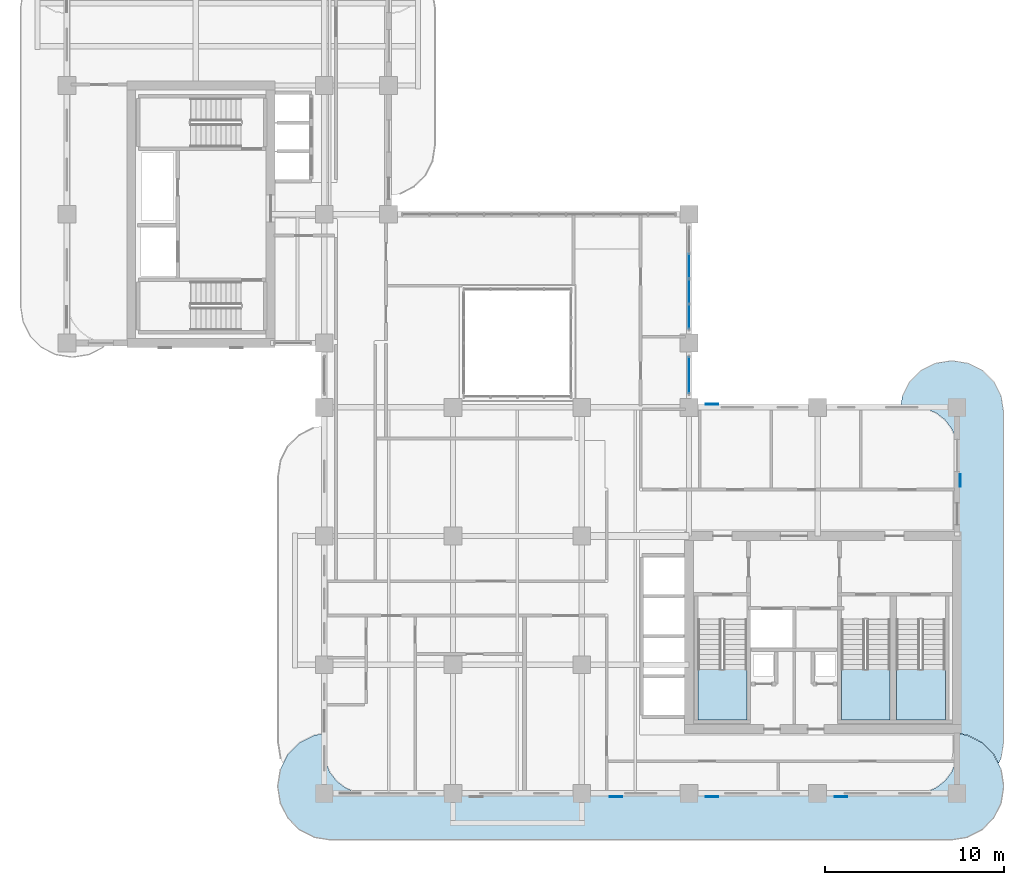
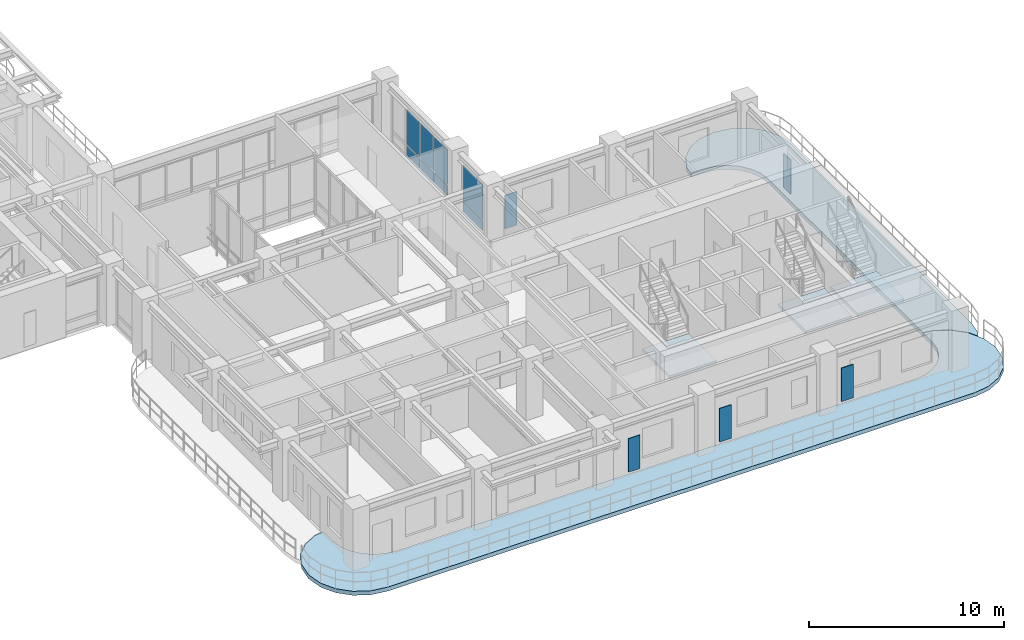
# One storey, part 9 of 20: 13 plates, 5 slabs, 5 elements without a shape of their own.
"""IFC4 building model written with IfcOpenShell, lengths in metres."""

from ifc_helpers import new_model, si_unit, derived_unit, direction, frame, origin, origin_2d, place, context, subcontext, project, spatial, polyline, rectangle, outline, extrude, source, transform, mapped, material, layer, layer_set, type_object, type_shapes, element, aggregate, save


model = new_model("IFC4")

# Units and contexts
model_context = context("Model", 3, precision=1e-05, world=origin(), true_north=direction((0.0, 1.0)))
body_context = subcontext(model_context, "Body", "Model", "MODEL_VIEW")
ifc_project = project(units=[si_unit("LENGTHUNIT", "METRE"), si_unit("AREAUNIT", "SQUARE_METRE"), si_unit("VOLUMEUNIT", "CUBIC_METRE"), si_unit("PLANEANGLEUNIT", "RADIAN"), si_unit("MASSUNIT", "GRAM", prefix="KILO"), si_unit("THERMODYNAMICTEMPERATUREUNIT", "KELVIN"), si_unit("POWERUNIT", "WATT"), derived_unit("THERMALTRANSMITTANCEUNIT", [(si_unit("POWERUNIT", "WATT"), 1), (si_unit("AREAUNIT", "SQUARE_METRE"), -1), (si_unit("THERMODYNAMICTEMPERATUREUNIT", "KELVIN"), -1)])], contexts=[model_context])

# Site, building, storey
site_placement = place(None, origin())
site = spatial("IfcSite", under=ifc_project, at=site_placement, CompositionType="ELEMENT")
building_placement = place(site_placement, origin())
building = spatial("IfcBuilding", under=site, at=building_placement, Name="Zahravan Archway Hotel and Residences", CompositionType="ELEMENT")
storey_placement = place(building_placement, frame((0.0, 0.0, 154.14990234375)))
storey = spatial("IfcBuildingStorey", under=building, at=storey_placement, Name="L38", CompositionType="ELEMENT", Elevation=154.14990234375)

# Slabs
ifc_material_1 = material(Name="Concrete C45/55", Category="concrete")
ifc_layer_1 = layer(ifc_material_1, 0.25, Name="Concrete C45/55", Category="concrete")
ifc_layer_set_1 = layer_set([ifc_layer_1], Name="Concrete C45/55")
slab_type_1 = type_object("IfcSlabType", Name="SLB-BALC-250", PredefinedType="FLOOR", material=ifc_layer_set_1)
slab_1_placement = place(storey_placement, frame((0.0, 0.0, -0.25)))
element("IfcSlab", 1, at=slab_1_placement, inside=storey, type_object=slab_type_1, Name="L38 Wing A South Rounded Balcony Band", PredefinedType="FLOOR", context=body_context, shape_type="SweptSolid", body=[
    extrude(outline(polyline([(50.361572265625, 3.255615234375), (51.18408203125, 2.836669921875), (51.836669921875, 2.18408203125), (52.255615234375, 1.361572265625), (52.39990234375, 0.449951171875), (52.39990234375, 0.35009765625), (52.255615234375, -0.5615234375), (51.836669921875, -1.384033203125), (51.18408203125, -2.03662109375), (50.361572265625, -2.45556640625), (49.449951171875, -2.60009765625), (14.75, -2.60009765625), (13.83837890625, -2.45556640625), (13.01611328125, -2.03662109375), (12.36328125, -1.384033203125), (11.9443359375, -0.5615234375), (11.800048828125, 0.35009765625), (11.800048828125, 0.449951171875), (11.9443359375, 1.361572265625), (12.36328125, 2.18408203125), (13.01611328125, 2.836669921875), (13.83837890625, 3.255615234375), (14.3798828125, 3.34130859375), (14.3798828125, 2.39990234375), (14.380126953125, 2.3974609375), (14.4619140625, 1.776123046875), (14.46240234375, 1.7744140625), (14.462646484375, 1.772705078125), (14.46337890625, 1.77099609375), (14.702880859375, 1.1923828125), (14.703857421875, 1.19091796875), (14.70458984375, 1.189208984375), (14.70556640625, 1.187744140625), (15.0869140625, 0.690673828125), (15.088134765625, 0.689453125), (15.08935546875, 0.688232421875), (15.0908203125, 0.68701171875), (15.587890625, 0.3056640625), (15.58935546875, 0.3046875), (15.5908203125, 0.3037109375), (15.59228515625, 0.302978515625), (16.171142578125, 0.063232421875), (16.1728515625, 0.062744140625), (16.174560546875, 0.062255859375), (16.17626953125, 0.06201171875), (16.79736328125, -0.019775390625), (16.800048828125, -0.02001953125), (47.39990234375, -0.02001953125), (47.402587890625, -0.019775390625), (48.023681640625, 0.06201171875), (48.025390625, 0.062255859375), (48.027099609375, 0.062744140625), (48.02880859375, 0.063232421875), (48.607666015625, 0.302978515625), (48.609130859375, 0.3037109375), (48.610595703125, 0.3046875), (48.6123046875, 0.3056640625), (49.109375, 0.68701171875), (49.110595703125, 0.688232421875), (49.11181640625, 0.689453125), (49.113037109375, 0.690673828125), (49.494384765625, 1.187744140625), (49.495361328125, 1.189208984375), (49.49609375, 1.19091796875), (49.4970703125, 1.1923828125), (49.73681640625, 1.77099609375), (49.7373046875, 1.772705078125), (49.73779296875, 1.7744140625), (49.738037109375, 1.776123046875), (49.81982421875, 2.3974609375), (49.820068359375, 2.39990234375), (49.820068359375, 3.34130859375), (50.361572265625, 3.255615234375)])), origin(), (0.0, 0.0, 1.0), 0.25),
])
slab_2_placement = place(storey_placement, frame((0.0, 0.0, -0.25)))
element("IfcSlab", 2, at=slab_2_placement, inside=storey, type_object=slab_type_1, Name="L38 Wing A East Rounded Balcony Band", PredefinedType="FLOOR", context=body_context, shape_type="SweptSolid", body=[
    extrude(outline(polyline([(46.739501953125, 22.230712890625), (47.144287109375, 23.025146484375), (47.77490234375, 23.65576171875), (48.5693359375, 24.060546875), (49.449951171875, 24.199951171875), (49.550048828125, 24.199951171875), (50.4306640625, 24.060546875), (51.22509765625, 23.65576171875), (51.855712890625, 23.025146484375), (52.260498046875, 22.230712890625), (52.39990234375, 21.35009765625), (52.39990234375, 2.85009765625), (52.260498046875, 1.96923828125), (52.114501953125, 1.6826171875), (51.8544921875, 2.193115234375), (51.853515625, 2.19482421875), (51.85205078125, 2.196533203125), (51.8505859375, 2.197998046875), (51.197998046875, 2.8505859375), (51.196533203125, 2.85205078125), (51.19482421875, 2.853515625), (51.193115234375, 2.8544921875), (50.37060546875, 3.2734375), (50.368896484375, 3.2744140625), (50.36669921875, 3.27490234375), (50.36474609375, 3.275390625), (49.822998046875, 3.361083984375), (49.8212890625, 3.361328125), (49.820068359375, 3.361328125), (49.820068359375, 19.199951171875), (49.81982421875, 19.20263671875), (49.738037109375, 19.82373046875), (49.73779296875, 19.825439453125), (49.7373046875, 19.8271484375), (49.73681640625, 19.828857421875), (49.4970703125, 20.40771484375), (49.49609375, 20.4091796875), (49.495361328125, 20.41064453125), (49.494384765625, 20.412109375), (49.113037109375, 20.9091796875), (49.11181640625, 20.91064453125), (49.110595703125, 20.911865234375), (49.109375, 20.9130859375), (48.6123046875, 21.29443359375), (48.610595703125, 21.29541015625), (48.609130859375, 21.296142578125), (48.607666015625, 21.297119140625), (48.02880859375, 21.53662109375), (48.027099609375, 21.537353515625), (48.025390625, 21.53759765625), (48.023681640625, 21.5380859375), (47.402587890625, 21.619873046875), (47.39990234375, 21.6201171875), (46.642822265625, 21.6201171875), (46.739501953125, 22.230712890625)])), origin(), (0.0, 0.0, 1.0), 0.25),
])

# Stair, slab
ifc_material_2 = material(Name="Concrete C50/60", Category="concrete")
stair_type = type_object("IfcStairType", Name="STR-CORE-1300", PredefinedType="HALF_TURN_STAIR", material=ifc_material_2)
stair_1_placement = place(storey_placement, origin())
stair_1 = element("IfcStair", 3, at=stair_1_placement, inside=storey, type_object=stair_type, Name="L38 Core A Exit Stair 1", PredefinedType="HALF_TURN_STAIR")
ifc_layer_2 = layer(ifc_material_2, 0.199951171875, Name="Concrete C50/60", Category="concrete")
ifc_layer_set_2 = layer_set([ifc_layer_2], Name="Concrete C50/60")
slab_type_2 = type_object("IfcSlabType", Name="SLB-LND-200", PredefinedType="LANDING", material=ifc_layer_set_2)
slab_3_placement = place(storey_placement, frame((0.0, 0.0, 1.72509765625)))
slab_3 = element("IfcSlab", 4, at=slab_3_placement, type_object=slab_type_2, Name="ST-A1 landing 1", PredefinedType="LANDING", context=body_context, shape_type="SweptSolid", body=[
    extrude(outline(polyline([(35.300048828125, 6.929931640625), (35.300048828125, 4.10009765625), (38.0400390625, 4.10009765625), (38.0400390625, 6.929931640625), (35.300048828125, 6.929931640625)])), origin(), (0.0, 0.0, 1.0), 0.199951171875),
])
aggregate(stair_1, [slab_3])

stair_2_placement = place(storey_placement, origin())
stair_2 = element("IfcStair", 5, at=stair_2_placement, inside=storey, type_object=stair_type, Name="L38 Core A Exit Stair 2", PredefinedType="HALF_TURN_STAIR")
slab_4_placement = place(storey_placement, frame((0.0, 0.0, 1.72509765625)))
slab_4 = element("IfcSlab", 6, at=slab_4_placement, type_object=slab_type_2, Name="ST-A2 landing 1", PredefinedType="LANDING", context=body_context, shape_type="SweptSolid", body=[
    extrude(outline(polyline([(43.320068359375, 6.929931640625), (43.320068359375, 4.10009765625), (46.06005859375, 4.10009765625), (46.06005859375, 6.929931640625), (43.320068359375, 6.929931640625)])), origin(), (0.0, 0.0, 1.0), 0.199951171875),
])
aggregate(stair_2, [slab_4])

stair_3_placement = place(storey_placement, origin())
stair_3 = element("IfcStair", 7, at=stair_3_placement, inside=storey, type_object=stair_type, Name="L38 Core A Exit Stair 3", PredefinedType="HALF_TURN_STAIR")
slab_5_placement = place(storey_placement, frame((0.0, 0.0, 1.72509765625)))
slab_5 = element("IfcSlab", 8, at=slab_5_placement, type_object=slab_type_2, Name="ST-A3 landing 1", PredefinedType="LANDING", context=body_context, shape_type="SweptSolid", body=[
    extrude(outline(polyline([(46.39990234375, 6.929931640625), (46.39990234375, 4.10009765625), (49.139892578125, 4.10009765625), (49.139892578125, 6.929931640625), (46.39990234375, 6.929931640625)])), origin(), (0.0, 0.0, 1.0), 0.199951171875),
])
aggregate(stair_3, [slab_5])

# Plates
ifc_material_3 = material(Name="Perforated Cast Bronze Jali Lattice")
ifc_layer_3 = layer(ifc_material_3, 0.044921875, Name="Perforated Cast Bronze Jali Lattice")
ifc_layer_set_3 = layer_set([ifc_layer_3], Name="Perforated Cast Bronze Jali Lattice")
plate_type_1 = type_object("IfcPlateType", Name="PLT-JALI-BAY", PredefinedType="USERDEFINED", material=ifc_layer_set_3)
shared_shape_1 = source(origin(), body_context, "Body", "SweptSolid", [
    extrude(rectangle(XDim=0.699951171875, YDim=0.044921875, at=origin_2d()), origin(), (0.0, 0.0, 1.0), 2.10009765625),
])
type_shapes(plate_type_1, [shared_shape_1])
for number, where, z_axis, x_axis, name in (
    (9, (30.7080078125, -0.177978515625, 0.25), (0.0, 0.0, 1.0), (1.0, 0.0, 0.0), "L38 Perforated Bronze Jali Pier Screen 02"),
    (10, (36.10009765625, -0.177978515625, 0.25), (0.0, 0.0, 1.0), (1.0, 0.0, 0.0), "L38 Perforated Bronze Jali Pier Screen 03"),
    (11, (43.300048828125, -0.177978515625, 0.25), (0.0, 0.0, 1.0), (1.0, 0.0, 0.0), "L38 Perforated Bronze Jali Pier Screen 04"),
    (12, (49.97802734375, 17.509033203125, 0.25), (0.0, 0.0, 1.0), (0.0, 1.0, 0.0), "L38 Perforated Bronze Jali Pier Screen 05"),
    (13, (36.10009765625, 21.778076171875, 0.25), (0.0, 0.0, 1.0), (1.0, 0.0, 0.0), "L38 Perforated Bronze Jali Pier Screen 06"),
):
    element("IfcPlate", number, at=place(storey_placement, frame(where, z_axis=z_axis, x_axis=x_axis)), inside=storey, type_object=plate_type_1, Name=name, ObjectType="SCREEN", PredefinedType="USERDEFINED", context=body_context, shape_type="MappedRepresentation", body=[
        mapped(shared_shape_1, transform((0.0, 0.0, 0.0), scale=1.0)),
    ])

# Curtain wall, plates
ifc_material_4 = material(Name="Bronze-Anodized Unitised Aluminium & Low-E Glass", Category="aluminium")
ifc_layer_4 = layer(ifc_material_4, 0.179931640625, Name="Bronze-Anodized Unitised Aluminium & Low-E Glass", Category="aluminium")
ifc_layer_set_4 = layer_set([ifc_layer_4], Name="Bronze-Anodized Unitised Aluminium & Low-E Glass")
curtain_wall_type = type_object("IfcCurtainWallType", Name="CW-ATR-GLAZ", PredefinedType="NOTDEFINED", material=ifc_layer_set_4)
curtain_wall_1_placement = place(storey_placement, origin())
curtain_wall_1 = element("IfcCurtainWall", 14, at=curtain_wall_1_placement, inside=storey, type_object=curtain_wall_type, Name="L38 Curtain Wall CW-L38-HNG-E-1", PredefinedType="NOTDEFINED")
ifc_material_5 = material(Name="Insulated Terracotta Spandrel Panel", Category="masonry")
ifc_layer_5 = layer(ifc_material_5, 0.0400390625, Name="Insulated Terracotta Spandrel Panel", Category="masonry")
ifc_layer_set_5 = layer_set([ifc_layer_5], Name="Insulated Terracotta Spandrel Panel")
plate_type_2 = type_object("IfcPlateType", Name="CWP-SPN-40", PredefinedType="SHEET", material=ifc_layer_set_5)
shared_shape_2 = source(origin(), body_context, "Body", "SweptSolid", [
    extrude(rectangle(XDim=2.0, YDim=0.0400390625, at=origin_2d()), origin(), (0.0, 0.0, 1.0), 0.600341796875),
])
plate_1_placement = place(storey_placement, frame((34.800048828125, 23.39990234375, 0.10009765625), z_axis=(0.0, 0.0, 1.0), x_axis=(0.0, 1.0, 0.0)))
plate_1 = element("IfcPlate", 15, at=plate_1_placement, type_object=plate_type_2, Name="CW-L38-HNG-E-1 Spandrel Panel 0", PredefinedType="SHEET", context=body_context, shape_type="MappedRepresentation", body=[
    mapped(shared_shape_2, transform((0.0, 0.0, 0.0), scale=1.0)),
])
ifc_material_6 = material(Name="Double-Silver Low-E Insulated Vision Glass", Category="glass")
ifc_layer_6 = layer(ifc_material_6, 0.028076171875, Name="Double-Silver Low-E Insulated Vision Glass", Category="glass")
ifc_layer_set_6 = layer_set([ifc_layer_6], Name="Double-Silver Low-E Insulated Vision Glass")
plate_type_3 = type_object("IfcPlateType", Name="CWP-GLZ-28", PredefinedType="CURTAIN_PANEL", material=ifc_layer_set_6)
shared_shape_3 = source(origin(), body_context, "Body", "SweptSolid", [
    extrude(rectangle(XDim=2.0, YDim=0.028076171875, at=origin_2d()), origin(), (0.0, 0.0, 1.0), 2.20458984375),
])
plate_2_placement = place(storey_placement, frame((34.800048828125, 23.39990234375, 0.780517578125), z_axis=(0.0, 0.0, 1.0), x_axis=(0.0, 1.0, 0.0)))
plate_2 = element("IfcPlate", 16, at=plate_2_placement, type_object=plate_type_3, Name="CW-L38-HNG-E-1 Low-E Vision Panel 0", PredefinedType="CURTAIN_PANEL", context=body_context, shape_type="MappedRepresentation", body=[
    mapped(shared_shape_3, transform((0.0, 0.0, 0.0), scale=1.0)),
])
aggregate(curtain_wall_1, [plate_1, plate_2])

curtain_wall_2_placement = place(storey_placement, origin())
curtain_wall_2 = element("IfcCurtainWall", 17, at=curtain_wall_2_placement, inside=storey, type_object=curtain_wall_type, Name="L38 Curtain Wall CW-L38-HNG-E-2", PredefinedType="NOTDEFINED")
shared_shape_4 = source(origin(), body_context, "Body", "SweptSolid", [
    extrude(rectangle(XDim=1.340087890625, YDim=0.0400390625, at=origin_2d()), origin(), (0.0, 0.0, 1.0), 0.600341796875),
])
plate_3_placement = place(storey_placement, frame((34.800048828125, 26.669921875, 0.10009765625), z_axis=(0.0, 0.0, 1.0), x_axis=(0.0, 1.0, 0.0)))
plate_3 = element("IfcPlate", 18, at=plate_3_placement, type_object=plate_type_2, Name="CW-L38-HNG-E-2 Spandrel Panel 0", PredefinedType="SHEET", context=body_context, shape_type="MappedRepresentation", body=[
    mapped(shared_shape_4, transform((0.0, 0.0, 0.0), scale=1.0)),
])
plate_4_placement = place(storey_placement, frame((34.800048828125, 28.090087890625, 0.10009765625), z_axis=(0.0, 0.0, 1.0), x_axis=(0.0, 1.0, 0.0)))
plate_4 = element("IfcPlate", 19, at=plate_4_placement, type_object=plate_type_2, Name="CW-L38-HNG-E-2 Spandrel Panel 1", PredefinedType="SHEET", context=body_context, shape_type="MappedRepresentation", body=[
    mapped(shared_shape_4, transform((0.0, 0.0, 0.0), scale=1.0)),
])
plate_5_placement = place(storey_placement, frame((34.800048828125, 29.510009765625, 0.10009765625), z_axis=(0.0, 0.0, 1.0), x_axis=(0.0, 1.0, 0.0)))
plate_5 = element("IfcPlate", 20, at=plate_5_placement, type_object=plate_type_2, Name="CW-L38-HNG-E-2 Spandrel Panel 2", PredefinedType="SHEET", context=body_context, shape_type="MappedRepresentation", body=[
    mapped(shared_shape_4, transform((0.0, 0.0, 0.0), scale=1.0)),
])
shared_shape_5 = source(origin(), body_context, "Body", "SweptSolid", [
    extrude(rectangle(XDim=1.340087890625, YDim=0.028076171875, at=origin_2d()), origin(), (0.0, 0.0, 1.0), 2.20458984375),
])
plate_6_placement = place(storey_placement, frame((34.800048828125, 26.669921875, 0.780517578125), z_axis=(0.0, 0.0, 1.0), x_axis=(0.0, 1.0, 0.0)))
plate_6 = element("IfcPlate", 21, at=plate_6_placement, type_object=plate_type_3, Name="CW-L38-HNG-E-2 Low-E Vision Panel 0", PredefinedType="CURTAIN_PANEL", context=body_context, shape_type="MappedRepresentation", body=[
    mapped(shared_shape_5, transform((0.0, 0.0, 0.0), scale=1.0)),
])
plate_7_placement = place(storey_placement, frame((34.800048828125, 28.090087890625, 0.780517578125), z_axis=(0.0, 0.0, 1.0), x_axis=(0.0, 1.0, 0.0)))
plate_7 = element("IfcPlate", 22, at=plate_7_placement, type_object=plate_type_3, Name="CW-L38-HNG-E-2 Low-E Vision Panel 1", PredefinedType="CURTAIN_PANEL", context=body_context, shape_type="MappedRepresentation", body=[
    mapped(shared_shape_5, transform((0.0, 0.0, 0.0), scale=1.0)),
])
plate_8_placement = place(storey_placement, frame((34.800048828125, 29.510009765625, 0.780517578125), z_axis=(0.0, 0.0, 1.0), x_axis=(0.0, 1.0, 0.0)))
plate_8 = element("IfcPlate", 23, at=plate_8_placement, type_object=plate_type_3, Name="CW-L38-HNG-E-2 Low-E Vision Panel 2", PredefinedType="CURTAIN_PANEL", context=body_context, shape_type="MappedRepresentation", body=[
    mapped(shared_shape_5, transform((0.0, 0.0, 0.0), scale=1.0)),
])
aggregate(curtain_wall_2, [plate_3, plate_6, plate_4, plate_7, plate_5, plate_8])

save(model, "model.ifc")
